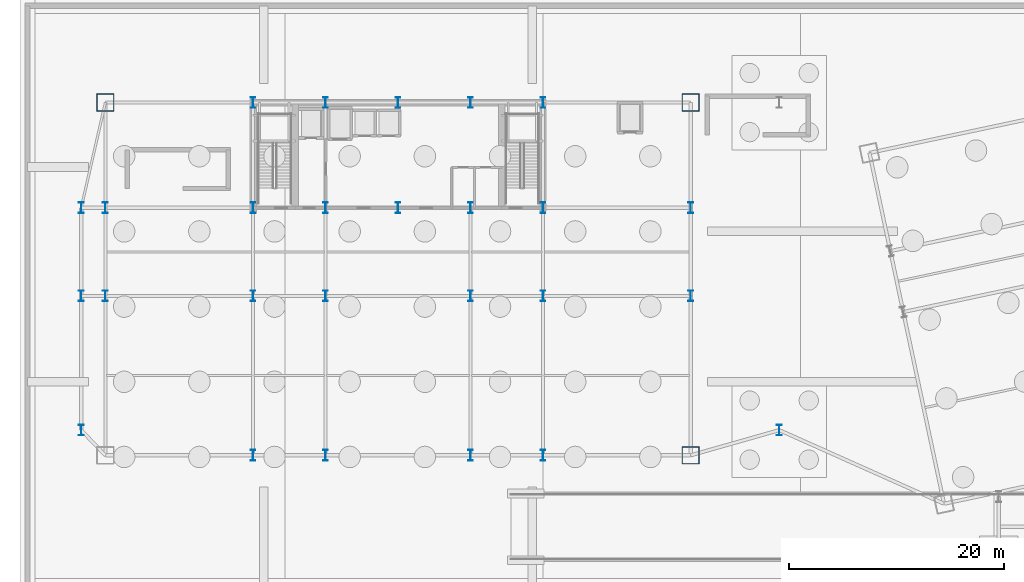
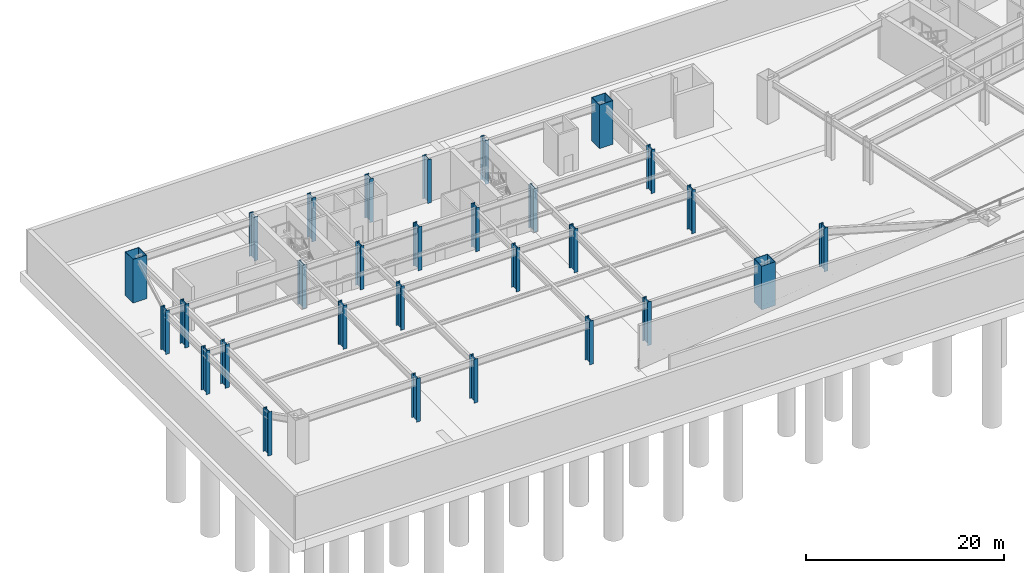
# One storey, part 2 of 15: 29 columns.
"""IFC4 building model written with IfcOpenShell, lengths in metres."""

from ifc_helpers import new_model, si_unit, direction, frame, origin, origin_2d, place, context, subcontext, project, spatial, hollow_rectangle, i_section, extrude, material, material_profile, profile_set, type_object, element, save


model = new_model("IFC4")

# Units and contexts
model_context = context("Model", 3, precision=1e-05, world=origin(), true_north=direction((0.0, 1.0)))
body_context = subcontext(model_context, "Body", "Model", "MODEL_VIEW")
ifc_project = project(units=[si_unit("LENGTHUNIT", "METRE"), si_unit("AREAUNIT", "SQUARE_METRE"), si_unit("VOLUMEUNIT", "CUBIC_METRE"), si_unit("PLANEANGLEUNIT", "RADIAN"), si_unit("MASSUNIT", "GRAM", prefix="KILO")], contexts=[model_context])

# Site, building, storey
site_placement = place(None, origin())
site = spatial("IfcSite", under=ifc_project, at=site_placement, CompositionType="ELEMENT")
building_placement = place(site_placement, origin())
building = spatial("IfcBuilding", under=site, at=building_placement, Name="Haevon Station Towers", CompositionType="ELEMENT")
storey_placement = place(building_placement, frame((0.0, 0.0, -10.800048828125)))
storey = spatial("IfcBuildingStorey", under=building, at=storey_placement, Name="B02", CompositionType="ELEMENT", Elevation=-10.800048828125)

# Columns
ifc_material = material(Name="Steel S460", Category="steel")
ifc_material_profile_1 = material_profile(ifc_material, hollow_rectangle(XDim=1.60009765625, YDim=1.60009765625, WallThickness=0.0400390625, at=origin_2d()), Name="BOX-1600x1600x40")
ifc_profile_set_1 = profile_set([ifc_material_profile_1], Name="Steel S460")
column_type_1 = type_object("IfcColumnType", Name="COL-MC1", PredefinedType="COLUMN", material=ifc_profile_set_1)
for number, where, z_axis, x_axis, name in (
    (1, (10.25, 48.0, 0.0), (0.0, 0.0, 1.0), (1.0, 0.0, 0.0), "COL-T1-B02-01-04"),
    (2, (64.75, 15.14990234375, 0.0), (0.0, 0.0, 1.0), (1.0, 0.0, 0.0), "COL-T1-B02-07-01"),
    (3, (64.75, 48.0, 0.0), (0.0, 0.0, 1.0), (1.0, 0.0, 0.0), "COL-T1-B02-07-04"),
):
    element("IfcColumn", number, at=place(storey_placement, frame(where, z_axis=z_axis, x_axis=x_axis)), inside=storey, type_object=column_type_1, Name=name, PredefinedType="COLUMN", context=body_context, shape_type="SweptSolid", body=[
        extrude(hollow_rectangle(XDim=1.60009765625, YDim=1.60009765625, WallThickness=0.0400390625, at=origin_2d()), origin(), (0.0, 0.0, 1.0), 5.400146484375),
    ])
ifc_material_profile_2 = material_profile(ifc_material, i_section(OverallWidth=0.449951171875, OverallDepth=1.0, WebThickness=0.02197265625, FlangeThickness=0.0400390625, at=origin_2d()), Name="H-1000x450x22x40")
ifc_profile_set_2 = profile_set([ifc_material_profile_2], Name="Steel S460")
column_type_2 = type_object("IfcColumnType", Name="COL-POD1", PredefinedType="COLUMN", material=ifc_profile_set_2)
for number, where, z_axis, x_axis, name in (
    (4, (10.25, 30.0, 0.0), (0.0, 0.0, 1.0), (1.0, 0.0, 0.0), "COL-T1-B02-01-02"),
    (5, (10.25, 38.199951171875, 0.0), (0.0, 0.0, 1.0), (1.0, 0.0, 0.0), "COL-T1-B02-01-03"),
    (6, (24.0, 15.14990234375, 0.0), (0.0, 0.0, 1.0), (1.0, 0.0, 0.0), "COL-T1-B02-02-01"),
    (7, (24.0, 30.0, 0.0), (0.0, 0.0, 1.0), (1.0, 0.0, 0.0), "COL-T1-B02-02-02"),
    (8, (24.0, 38.199951171875, 0.0), (0.0, 0.0, 1.0), (1.0, 0.0, 0.0), "COL-T1-B02-02-03"),
    (9, (24.0, 48.0, 0.0), (0.0, 0.0, 1.0), (1.0, 0.0, 0.0), "COL-T1-B02-02-04"),
    (10, (30.75, 15.14990234375, 0.0), (0.0, 0.0, 1.0), (1.0, 0.0, 0.0), "COL-T1-B02-03-01"),
    (11, (30.75, 30.0, 0.0), (0.0, 0.0, 1.0), (1.0, 0.0, 0.0), "COL-T1-B02-03-02"),
    (12, (30.75, 38.199951171875, 0.0), (0.0, 0.0, 1.0), (1.0, 0.0, 0.0), "COL-T1-B02-03-03"),
    (13, (30.75, 48.0, 0.0), (0.0, 0.0, 1.0), (1.0, 0.0, 0.0), "COL-T1-B02-03-04"),
    (14, (37.5, 38.199951171875, 0.0), (0.0, 0.0, 1.0), (1.0, 0.0, 0.0), "COL-T1-B02-04-03"),
    (15, (37.5, 48.0, 0.0), (0.0, 0.0, 1.0), (1.0, 0.0, 0.0), "COL-T1-B02-04-04"),
    (16, (44.25, 15.14990234375, 0.0), (0.0, 0.0, 1.0), (1.0, 0.0, 0.0), "COL-T1-B02-05-01"),
    (17, (44.25, 30.0, 0.0), (0.0, 0.0, 1.0), (1.0, 0.0, 0.0), "COL-T1-B02-05-02"),
    (18, (44.25, 38.199951171875, 0.0), (0.0, 0.0, 1.0), (1.0, 0.0, 0.0), "COL-T1-B02-05-03"),
    (19, (44.25, 48.0, 0.0), (0.0, 0.0, 1.0), (1.0, 0.0, 0.0), "COL-T1-B02-05-04"),
    (20, (51.0, 15.14990234375, 0.0), (0.0, 0.0, 1.0), (1.0, 0.0, 0.0), "COL-T1-B02-06-01"),
    (21, (51.0, 30.0, 0.0), (0.0, 0.0, 1.0), (1.0, 0.0, 0.0), "COL-T1-B02-06-02"),
    (22, (51.0, 38.199951171875, 0.0), (0.0, 0.0, 1.0), (1.0, 0.0, 0.0), "COL-T1-B02-06-03"),
    (23, (51.0, 48.0, 0.0), (0.0, 0.0, 1.0), (1.0, 0.0, 0.0), "COL-T1-B02-06-04"),
    (24, (64.75, 30.0, 0.0), (0.0, 0.0, 1.0), (1.0, 0.0, 0.0), "COL-T1-B02-07-02"),
    (25, (64.75, 38.199951171875, 0.0), (0.0, 0.0, 1.0), (1.0, 0.0, 0.0), "COL-T1-B02-07-03"),
    (26, (8.0, 17.5, 0.0), (0.0, 0.0, 1.0), (1.0, 0.0, 0.0), "COL-POD-B02-W1"),
    (27, (8.0, 30.0, 0.0), (0.0, 0.0, 1.0), (1.0, 0.0, 0.0), "COL-POD-B02-W2"),
    (28, (8.0, 38.199951171875, 0.0), (0.0, 0.0, 1.0), (1.0, 0.0, 0.0), "COL-POD-B02-W3"),
    (29, (73.0, 17.5, 0.0), (0.0, 0.0, 1.0), (1.0, 0.0, 0.0), "COL-POD-B02-M1"),
):
    element("IfcColumn", number, at=place(storey_placement, frame(where, z_axis=z_axis, x_axis=x_axis)), inside=storey, type_object=column_type_2, Name=name, PredefinedType="COLUMN", context=body_context, shape_type="SweptSolid", body=[
        extrude(i_section(OverallWidth=0.449951171875, OverallDepth=1.0, WebThickness=0.02197265625, FlangeThickness=0.0400390625, at=origin_2d()), origin(), (0.0, 0.0, 1.0), 5.400146484375),
    ])

save(model, "model.ifc")
